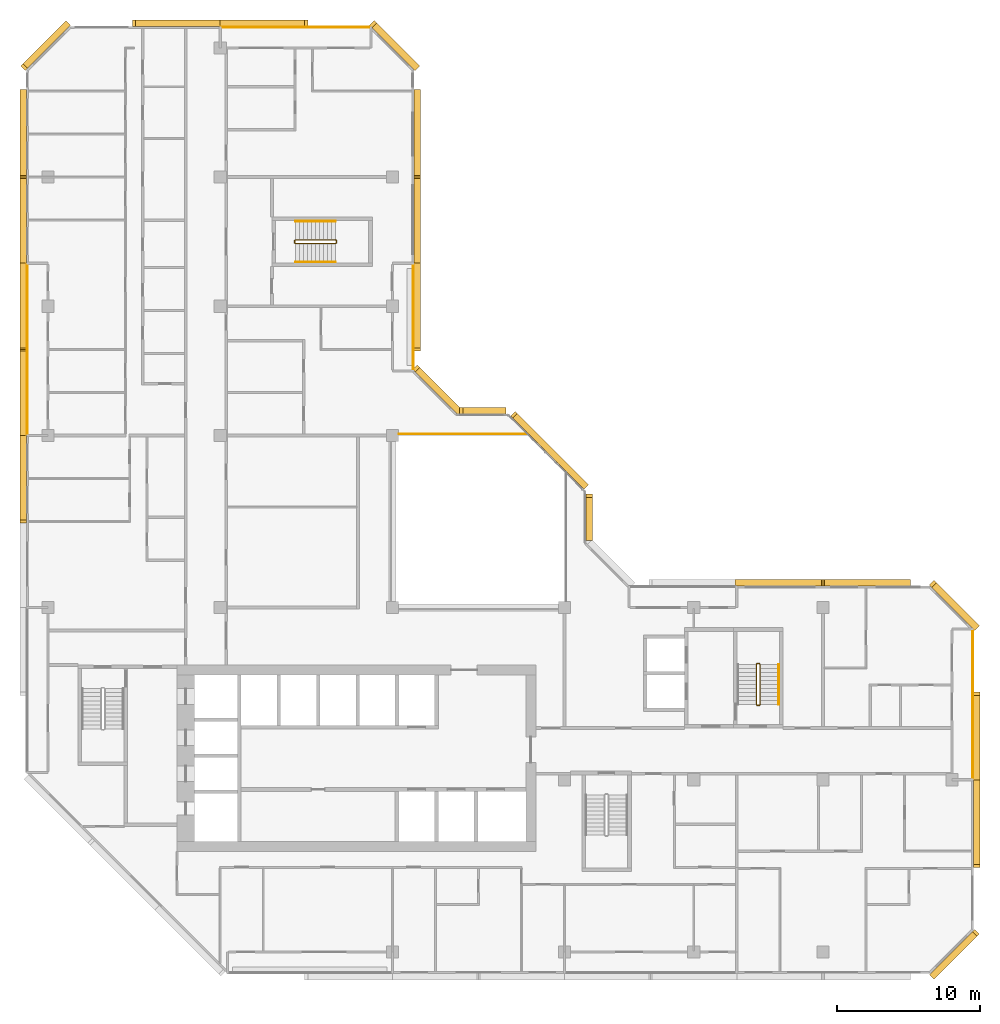
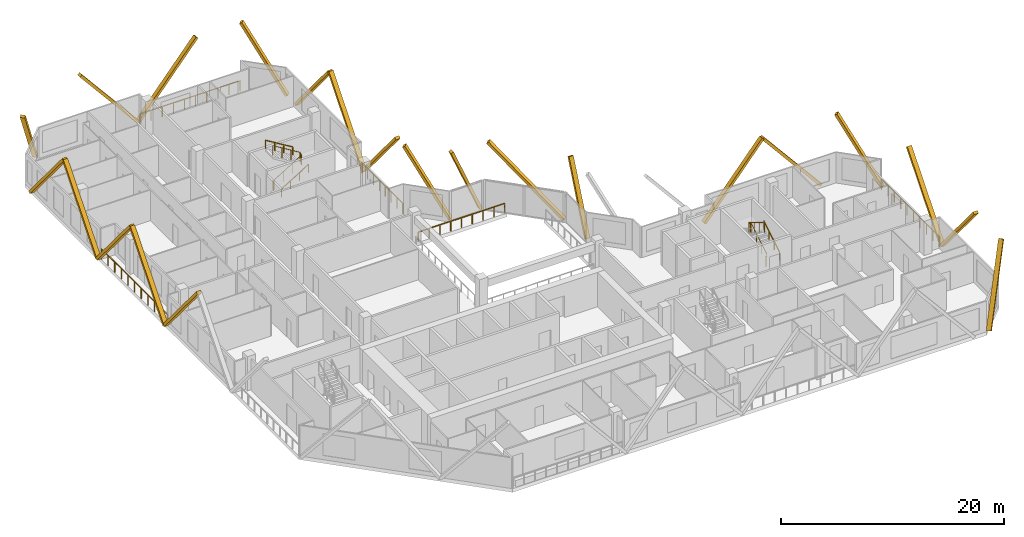
# One storey, part 15 of 15: 22 coverings, 10 railings.
"""IFC4 building model written with IfcOpenShell, lengths in metres."""

from ifc_helpers import new_model, si_unit, direction, frame, origin, origin_2d, place, context, subcontext, project, spatial, rectangle, extrude, material, material_profile, profile_set, type_object, element, save


model = new_model("IFC4")

# Units and contexts
model_context = context("Model", 3, precision=1e-05, world=origin(), true_north=direction((0.0, 1.0)))
body_context = subcontext(model_context, "Body", "Model", "MODEL_VIEW")
ifc_project = project(units=[si_unit("LENGTHUNIT", "METRE"), si_unit("AREAUNIT", "SQUARE_METRE"), si_unit("VOLUMEUNIT", "CUBIC_METRE"), si_unit("PLANEANGLEUNIT", "RADIAN"), si_unit("MASSUNIT", "GRAM", prefix="KILO")], contexts=[model_context])

# Site, building, storey
site_placement = place(None, origin())
site = spatial("IfcSite", under=ifc_project, at=site_placement, CompositionType="ELEMENT")
building_placement = place(site_placement, origin())
building = spatial("IfcBuilding", under=site, at=building_placement, Name="Chenar Terraces", CompositionType="ELEMENT")
storey_placement = place(building_placement, frame((0.0, 0.0, 211.64990234375)))
storey = spatial("IfcBuildingStorey", under=building, at=storey_placement, Name="L49", CompositionType="ELEMENT", Elevation=211.64990234375)

# Railings
ifc_material_1 = material(Name="Powder-coated steel", Category="steel")
railing_type_1 = type_object("IfcRailingType", Name="Guard 1100 steel rail with glass infill", PredefinedType="GUARDRAIL", material=ifc_material_1)
railing_1_placement = place(storey_placement, frame((24.47509765625, 36.10009765625, 0.0)))
element("IfcRailing", 1, at=railing_1_placement, inside=storey, type_object=railing_type_1, Name="Guard L49-2", PredefinedType="GUARDRAIL", context=body_context, shape_type="SweptSolid", body=[
    extrude(rectangle(XDim=0.06005859375, YDim=0.06005859375, at=origin_2d()), frame((0.0, 0.0, 1.070068359375), z_axis=(1.0, 0.0, 0.0), x_axis=(0.0, 1.0, 0.0)), (0.0, 0.0, 1.0), 8.9248046875),
    extrude(rectangle(XDim=0.050048828125, YDim=0.050048828125, at=origin_2d()), origin(), (0.0, 0.0, 1.0), 1.0400390625),
    extrude(rectangle(XDim=0.050048828125, YDim=0.050048828125, at=origin_2d()), frame((1.11572265625, 0.0, 0.0)), (0.0, 0.0, 1.0), 1.0400390625),
    extrude(rectangle(XDim=0.050048828125, YDim=0.050048828125, at=origin_2d()), frame((2.231201171875, 0.0, 0.0)), (0.0, 0.0, 1.0), 1.0400390625),
    extrude(rectangle(XDim=0.050048828125, YDim=0.050048828125, at=origin_2d()), frame((3.3466796875, 0.0, 0.0)), (0.0, 0.0, 1.0), 1.0400390625),
    extrude(rectangle(XDim=0.050048828125, YDim=0.050048828125, at=origin_2d()), frame((4.46240234375, 0.0, 0.0)), (0.0, 0.0, 1.0), 1.0400390625),
    extrude(rectangle(XDim=0.050048828125, YDim=0.050048828125, at=origin_2d()), frame((5.578125, 0.0, 0.0)), (0.0, 0.0, 1.0), 1.0400390625),
    extrude(rectangle(XDim=0.050048828125, YDim=0.050048828125, at=origin_2d()), frame((6.693603515625, 0.0, 0.0)), (0.0, 0.0, 1.0), 1.0400390625),
    extrude(rectangle(XDim=0.050048828125, YDim=0.050048828125, at=origin_2d()), frame((7.80908203125, 0.0, 0.0)), (0.0, 0.0, 1.0), 1.0400390625),
    extrude(rectangle(XDim=0.050048828125, YDim=0.050048828125, at=origin_2d()), frame((8.9248046875, 0.0, 0.0)), (0.0, 0.0, 1.0), 1.0400390625),
])
ifc_material_2 = material(Name="Stainless steel and glass", Category="steel")
railing_type_2 = type_object("IfcRailingType", Name="Loggia guard 1150", PredefinedType="GUARDRAIL", material=ifc_material_2)
railing_2_placement = place(storey_placement, frame((25.449951171875, 40.574951171875, 0.0)))
element("IfcRailing", 2, at=railing_2_placement, inside=storey, type_object=railing_type_2, Name="Loggia guard", PredefinedType="GUARDRAIL", context=body_context, shape_type="SweptSolid", body=[
    extrude(rectangle(XDim=0.048095703125, YDim=0.048095703125, at=origin_2d()), frame((0.0, 0.0, 1.1259765625), z_axis=(0.0, 1.0, 0.0), x_axis=(-1.0, 0.0, 0.0)), (0.0, 0.0, 1.0), 7.35009765625),
    extrude(rectangle(XDim=0.0419921875, YDim=0.0419921875, at=origin_2d()), origin(), (0.0, 0.0, 1.0), 1.101806640625),
    extrude(rectangle(XDim=0.0419921875, YDim=0.0419921875, at=origin_2d()), frame((0.0, 1.050048828125, 0.0)), (0.0, 0.0, 1.0), 1.101806640625),
    extrude(rectangle(XDim=0.0419921875, YDim=0.0419921875, at=origin_2d()), frame((0.0, 2.10009765625, 0.0)), (0.0, 0.0, 1.0), 1.101806640625),
    extrude(rectangle(XDim=0.0419921875, YDim=0.0419921875, at=origin_2d()), frame((0.0, 3.150146484375, 0.0)), (0.0, 0.0, 1.0), 1.101806640625),
    extrude(rectangle(XDim=0.0419921875, YDim=0.0419921875, at=origin_2d()), frame((0.0, 4.199951171875, 0.0)), (0.0, 0.0, 1.0), 1.101806640625),
    extrude(rectangle(XDim=0.0419921875, YDim=0.0419921875, at=origin_2d()), frame((0.0, 5.25, 0.0)), (0.0, 0.0, 1.0), 1.101806640625),
    extrude(rectangle(XDim=0.0419921875, YDim=0.0419921875, at=origin_2d()), frame((0.0, 6.300048828125, 0.0)), (0.0, 0.0, 1.0), 1.101806640625),
    extrude(rectangle(XDim=0.0419921875, YDim=0.0419921875, at=origin_2d()), frame((0.0, 7.35009765625, 0.0)), (0.0, 0.0, 1.0), 1.101806640625),
])
railing_3_placement = place(storey_placement, frame((64.449951171875, 12.074951171875, 0.0)))
element("IfcRailing", 3, at=railing_3_placement, inside=storey, type_object=railing_type_2, Name="Loggia guard", PredefinedType="GUARDRAIL", context=body_context, shape_type="SweptSolid", body=[
    extrude(rectangle(XDim=0.048095703125, YDim=0.048095703125, at=origin_2d()), frame((0.0, 0.0, 1.1259765625), z_axis=(0.0, 1.0, 0.0), x_axis=(-1.0, 0.0, 0.0)), (0.0, 0.0, 1.0), 10.35009765625),
    extrude(rectangle(XDim=0.0419921875, YDim=0.0419921875, at=origin_2d()), origin(), (0.0, 0.0, 1.0), 1.101806640625),
    extrude(rectangle(XDim=0.0419921875, YDim=0.0419921875, at=origin_2d()), frame((0.0, 1.14990234375, 0.0)), (0.0, 0.0, 1.0), 1.101806640625),
    extrude(rectangle(XDim=0.0419921875, YDim=0.0419921875, at=origin_2d()), frame((0.0, 2.300048828125, 0.0)), (0.0, 0.0, 1.0), 1.101806640625),
    extrude(rectangle(XDim=0.0419921875, YDim=0.0419921875, at=origin_2d()), frame((0.0, 3.449951171875, 0.0)), (0.0, 0.0, 1.0), 1.101806640625),
    extrude(rectangle(XDim=0.0419921875, YDim=0.0419921875, at=origin_2d()), frame((0.0, 4.60009765625, 0.0)), (0.0, 0.0, 1.0), 1.101806640625),
    extrude(rectangle(XDim=0.0419921875, YDim=0.0419921875, at=origin_2d()), frame((0.0, 5.75, 0.0)), (0.0, 0.0, 1.0), 1.101806640625),
    extrude(rectangle(XDim=0.0419921875, YDim=0.0419921875, at=origin_2d()), frame((0.0, 6.900146484375, 0.0)), (0.0, 0.0, 1.0), 1.101806640625),
    extrude(rectangle(XDim=0.0419921875, YDim=0.0419921875, at=origin_2d()), frame((0.0, 8.050048828125, 0.0)), (0.0, 0.0, 1.0), 1.101806640625),
    extrude(rectangle(XDim=0.0419921875, YDim=0.0419921875, at=origin_2d()), frame((0.0, 9.2001953125, 0.0)), (0.0, 0.0, 1.0), 1.101806640625),
    extrude(rectangle(XDim=0.0419921875, YDim=0.0419921875, at=origin_2d()), frame((0.0, 10.35009765625, 0.0)), (0.0, 0.0, 1.0), 1.101806640625),
])
railing_4_placement = place(storey_placement, frame((22.425048828125, 64.449951171875, 0.0)))
element("IfcRailing", 4, at=railing_4_placement, inside=storey, type_object=railing_type_2, Name="Loggia guard", PredefinedType="GUARDRAIL", context=body_context, shape_type="SweptSolid", body=[
    extrude(rectangle(XDim=0.048095703125, YDim=0.048095703125, at=origin_2d()), frame((0.0, 0.0, 1.1259765625), z_axis=(-1.0, 0.0, 0.0), x_axis=(0.0, -1.0, 0.0)), (0.0, 0.0, 1.0), 10.35009765625),
    extrude(rectangle(XDim=0.0419921875, YDim=0.0419921875, at=origin_2d()), origin(), (0.0, 0.0, 1.0), 1.101806640625),
    extrude(rectangle(XDim=0.0419921875, YDim=0.0419921875, at=origin_2d()), frame((-1.14990234375, 0.0, 0.0)), (0.0, 0.0, 1.0), 1.101806640625),
    extrude(rectangle(XDim=0.0419921875, YDim=0.0419921875, at=origin_2d()), frame((-2.300048828125, 0.0, 0.0)), (0.0, 0.0, 1.0), 1.101806640625),
    extrude(rectangle(XDim=0.0419921875, YDim=0.0419921875, at=origin_2d()), frame((-3.449951171875, 0.0, 0.0)), (0.0, 0.0, 1.0), 1.101806640625),
    extrude(rectangle(XDim=0.0419921875, YDim=0.0419921875, at=origin_2d()), frame((-4.60009765625, 0.0, 0.0)), (0.0, 0.0, 1.0), 1.101806640625),
    extrude(rectangle(XDim=0.0419921875, YDim=0.0419921875, at=origin_2d()), frame((-5.75, 0.0, 0.0)), (0.0, 0.0, 1.0), 1.101806640625),
    extrude(rectangle(XDim=0.0419921875, YDim=0.0419921875, at=origin_2d()), frame((-6.900146484375, 0.0, 0.0)), (0.0, 0.0, 1.0), 1.101806640625),
    extrude(rectangle(XDim=0.0419921875, YDim=0.0419921875, at=origin_2d()), frame((-8.050048828125, 0.0, 0.0)), (0.0, 0.0, 1.0), 1.101806640625),
    extrude(rectangle(XDim=0.0419921875, YDim=0.0419921875, at=origin_2d()), frame((-9.2001953125, 0.0, 0.0)), (0.0, 0.0, 1.0), 1.101806640625),
    extrude(rectangle(XDim=0.0419921875, YDim=0.0419921875, at=origin_2d()), frame((-10.35009765625, 0.0, 0.0)), (0.0, 0.0, 1.0), 1.101806640625),
])
railing_5_placement = place(storey_placement, frame((-1.449951171875, 47.925048828125, 0.0)))
element("IfcRailing", 5, at=railing_5_placement, inside=storey, type_object=railing_type_2, Name="Loggia guard", PredefinedType="GUARDRAIL", context=body_context, shape_type="SweptSolid", body=[
    extrude(rectangle(XDim=0.048095703125, YDim=0.048095703125, at=origin_2d()), frame((0.0, 0.0, 1.1259765625), z_axis=(0.0, -1.0, 0.0), x_axis=(1.0, 0.0, 0.0)), (0.0, 0.0, 1.0), 11.85009765625),
    extrude(rectangle(XDim=0.0419921875, YDim=0.0419921875, at=origin_2d()), origin(), (0.0, 0.0, 1.0), 1.101806640625),
    extrude(rectangle(XDim=0.0419921875, YDim=0.0419921875, at=origin_2d()), frame((0.0, -1.18505859375, 0.0)), (0.0, 0.0, 1.0), 1.101806640625),
    extrude(rectangle(XDim=0.0419921875, YDim=0.0419921875, at=origin_2d()), frame((0.0, -2.3701171875, 0.0)), (0.0, 0.0, 1.0), 1.101806640625),
    extrude(rectangle(XDim=0.0419921875, YDim=0.0419921875, at=origin_2d()), frame((0.0, -3.554931640625, 0.0)), (0.0, 0.0, 1.0), 1.101806640625),
    extrude(rectangle(XDim=0.0419921875, YDim=0.0419921875, at=origin_2d()), frame((0.0, -4.739990234375, 0.0)), (0.0, 0.0, 1.0), 1.101806640625),
    extrude(rectangle(XDim=0.0419921875, YDim=0.0419921875, at=origin_2d()), frame((0.0, -5.925048828125, 0.0)), (0.0, 0.0, 1.0), 1.101806640625),
    extrude(rectangle(XDim=0.0419921875, YDim=0.0419921875, at=origin_2d()), frame((0.0, -7.110107421875, 0.0)), (0.0, 0.0, 1.0), 1.101806640625),
    extrude(rectangle(XDim=0.0419921875, YDim=0.0419921875, at=origin_2d()), frame((0.0, -8.295166015625, 0.0)), (0.0, 0.0, 1.0), 1.101806640625),
    extrude(rectangle(XDim=0.0419921875, YDim=0.0419921875, at=origin_2d()), frame((0.0, -9.47998046875, 0.0)), (0.0, 0.0, 1.0), 1.101806640625),
    extrude(rectangle(XDim=0.0419921875, YDim=0.0419921875, at=origin_2d()), frame((0.0, -10.6650390625, 0.0)), (0.0, 0.0, 1.0), 1.101806640625),
    extrude(rectangle(XDim=0.0419921875, YDim=0.0419921875, at=origin_2d()), frame((0.0, -11.85009765625, 0.0)), (0.0, 0.0, 1.0), 1.101806640625),
])
ifc_material_3 = material(Name="Powder-coated steel", Category="steel")
railing_type_3 = type_object("IfcRailingType", Name="Stair guard 1100", PredefinedType="GUARDRAIL", material=ifc_material_3)
railing_6_placement = place(storey_placement, frame((49.375, 17.25, 3.75)))
element("IfcRailing", 6, at=railing_6_placement, inside=storey, type_object=railing_type_3, Name="L49 ST3 stair guard 1", PredefinedType="GUARDRAIL", context=body_context, shape_type="SweptSolid", body=[
    extrude(rectangle(XDim=0.048095703125, YDim=0.048095703125, at=origin_2d()), frame((0.0, 0.0, 1.076171875), z_axis=(0.0, 0.854202870247, -0.519939858505), x_axis=(-1.0, 0.0, 0.0)), (0.0, 0.0, 1.0), 3.278076171875),
    extrude(rectangle(XDim=0.048095703125, YDim=0.048095703125, at=origin_2d()), frame((0.0, 2.800048828125, -0.62841796875), z_axis=(0.270899902878, 0.270899902878, -0.923702595667), x_axis=(-0.707106781187, 0.707106781187, 0.0)), (0.0, 0.0, 1.0), 0.184814453125),
    extrude(rectangle(XDim=0.048095703125, YDim=0.048095703125, at=origin_2d()), frame((0.050048828125, 2.85009765625, -0.798828125), z_axis=(1.0, 0.0, 0.0), x_axis=(0.0, 1.0, 0.0)), (0.0, 0.0, 1.0), 0.14990234375),
    extrude(rectangle(XDim=0.048095703125, YDim=0.048095703125, at=origin_2d()), frame((0.199951171875, 2.85009765625, -0.798828125), z_axis=(0.707106781187, -0.707106781187, 0.0), x_axis=(0.707106781187, 0.707106781187, 0.0)), (0.0, 0.0, 1.0), 0.07080078125),
    extrude(rectangle(XDim=0.048095703125, YDim=0.048095703125, at=origin_2d()), frame((0.25, 2.800048828125, -0.798828125), z_axis=(0.0, -0.854202870247, -0.519939858505), x_axis=(1.0, 0.0, 0.0)), (0.0, 0.0, 1.0), 3.278076171875),
    extrude(rectangle(XDim=0.048095703125, YDim=0.048095703125, at=origin_2d()), frame((0.25, 0.0, -2.50341796875), z_axis=(-0.270899902878, -0.270899902878, -0.923702595667), x_axis=(0.707106781187, -0.707106781187, 0.0)), (0.0, 0.0, 1.0), 0.184814453125),
    extrude(rectangle(XDim=0.048095703125, YDim=0.048095703125, at=origin_2d()), frame((0.199951171875, -0.050048828125, -2.673828125), z_axis=(-1.0, 0.0, 0.0), x_axis=(0.0, -1.0, 0.0)), (0.0, 0.0, 1.0), 0.14990234375),
    extrude(rectangle(XDim=0.0419921875, YDim=0.0419921875, at=origin_2d()), origin(), (0.0, 0.0, 1.0), 1.052001953125),
    extrude(rectangle(XDim=0.0419921875, YDim=0.0419921875, at=origin_2d()), frame((0.0, 0.933349609375, -0.568115234375)), (0.0, 0.0, 1.0), 1.052001953125),
    extrude(rectangle(XDim=0.0419921875, YDim=0.0419921875, at=origin_2d()), frame((0.0, 1.86669921875, -1.13623046875)), (0.0, 0.0, 1.0), 1.052001953125),
    extrude(rectangle(XDim=0.0419921875, YDim=0.0419921875, at=origin_2d()), frame((0.0, 2.800048828125, -1.704345703125)), (0.0, 0.0, 1.0), 1.052001953125),
    extrude(rectangle(XDim=0.0419921875, YDim=0.0419921875, at=origin_2d()), frame((0.050048828125, 2.85009765625, -1.875)), (0.0, 0.0, 1.0), 1.052001953125),
    extrude(rectangle(XDim=0.0419921875, YDim=0.0419921875, at=origin_2d()), frame((0.199951171875, 2.85009765625, -1.875)), (0.0, 0.0, 1.0), 1.052001953125),
    extrude(rectangle(XDim=0.0419921875, YDim=0.0419921875, at=origin_2d()), frame((0.25, 2.800048828125, -1.875)), (0.0, 0.0, 1.0), 1.052001953125),
    extrude(rectangle(XDim=0.0419921875, YDim=0.0419921875, at=origin_2d()), frame((0.25, 1.86669921875, -2.443115234375)), (0.0, 0.0, 1.0), 1.052001953125),
    extrude(rectangle(XDim=0.0419921875, YDim=0.0419921875, at=origin_2d()), frame((0.25, 0.933349609375, -3.01123046875)), (0.0, 0.0, 1.0), 1.052001953125),
    extrude(rectangle(XDim=0.0419921875, YDim=0.0419921875, at=origin_2d()), frame((0.25, 0.0, -3.579345703125)), (0.0, 0.0, 1.0), 1.052001953125),
    extrude(rectangle(XDim=0.0419921875, YDim=0.0419921875, at=origin_2d()), frame((0.199951171875, -0.050048828125, -3.75)), (0.0, 0.0, 1.0), 1.052001953125),
    extrude(rectangle(XDim=0.0419921875, YDim=0.0419921875, at=origin_2d()), frame((0.050048828125, -0.050048828125, -3.75)), (0.0, 0.0, 1.0), 1.052001953125),
])
railing_7_placement = place(storey_placement, frame((17.25, 49.625, 3.75)))
element("IfcRailing", 7, at=railing_7_placement, inside=storey, type_object=railing_type_3, Name="L49 ST4 stair guard 1", PredefinedType="GUARDRAIL", context=body_context, shape_type="SweptSolid", body=[
    extrude(rectangle(XDim=0.048095703125, YDim=0.048095703125, at=origin_2d()), frame((0.0, 0.0, 1.076171875), z_axis=(0.854202870247, 0.0, -0.519939858505), x_axis=(0.0, 1.0, 0.0)), (0.0, 0.0, 1.0), 3.278076171875),
    extrude(rectangle(XDim=0.048095703125, YDim=0.048095703125, at=origin_2d()), frame((2.800048828125, 0.0, -0.62841796875), z_axis=(0.270899902878, -0.270899902878, -0.923702595667), x_axis=(0.707106781187, 0.707106781187, 0.0)), (0.0, 0.0, 1.0), 0.184814453125),
    extrude(rectangle(XDim=0.048095703125, YDim=0.048095703125, at=origin_2d()), frame((2.85009765625, -0.050048828125, -0.798828125), z_axis=(0.0, -1.0, 0.0), x_axis=(1.0, 0.0, 0.0)), (0.0, 0.0, 1.0), 0.14990234375),
    extrude(rectangle(XDim=0.048095703125, YDim=0.048095703125, at=origin_2d()), frame((2.85009765625, -0.199951171875, -0.798828125), z_axis=(-0.707106781187, -0.707106781187, 0.0), x_axis=(0.707106781187, -0.707106781187, 0.0)), (0.0, 0.0, 1.0), 0.07080078125),
    extrude(rectangle(XDim=0.048095703125, YDim=0.048095703125, at=origin_2d()), frame((2.800048828125, -0.25, -0.798828125), z_axis=(-0.854202870247, 0.0, -0.519939858505), x_axis=(0.0, -1.0, 0.0)), (0.0, 0.0, 1.0), 3.278076171875),
    extrude(rectangle(XDim=0.048095703125, YDim=0.048095703125, at=origin_2d()), frame((0.0, -0.25, -2.50341796875), z_axis=(-0.270899902878, 0.270899902878, -0.923702595667), x_axis=(-0.707106781187, -0.707106781187, 0.0)), (0.0, 0.0, 1.0), 0.184814453125),
    extrude(rectangle(XDim=0.048095703125, YDim=0.048095703125, at=origin_2d()), frame((-0.050048828125, -0.199951171875, -2.673828125), z_axis=(0.0, 1.0, 0.0), x_axis=(-1.0, 0.0, 0.0)), (0.0, 0.0, 1.0), 0.14990234375),
    extrude(rectangle(XDim=0.0419921875, YDim=0.0419921875, at=origin_2d()), origin(), (0.0, 0.0, 1.0), 1.052001953125),
    extrude(rectangle(XDim=0.0419921875, YDim=0.0419921875, at=origin_2d()), frame((0.933349609375, 0.0, -0.568115234375)), (0.0, 0.0, 1.0), 1.052001953125),
    extrude(rectangle(XDim=0.0419921875, YDim=0.0419921875, at=origin_2d()), frame((1.86669921875, 0.0, -1.13623046875)), (0.0, 0.0, 1.0), 1.052001953125),
    extrude(rectangle(XDim=0.0419921875, YDim=0.0419921875, at=origin_2d()), frame((2.800048828125, 0.0, -1.704345703125)), (0.0, 0.0, 1.0), 1.052001953125),
    extrude(rectangle(XDim=0.0419921875, YDim=0.0419921875, at=origin_2d()), frame((2.85009765625, -0.050048828125, -1.875)), (0.0, 0.0, 1.0), 1.052001953125),
    extrude(rectangle(XDim=0.0419921875, YDim=0.0419921875, at=origin_2d()), frame((2.85009765625, -0.199951171875, -1.875)), (0.0, 0.0, 1.0), 1.052001953125),
    extrude(rectangle(XDim=0.0419921875, YDim=0.0419921875, at=origin_2d()), frame((2.800048828125, -0.25, -1.875)), (0.0, 0.0, 1.0), 1.052001953125),
    extrude(rectangle(XDim=0.0419921875, YDim=0.0419921875, at=origin_2d()), frame((1.86669921875, -0.25, -2.443115234375)), (0.0, 0.0, 1.0), 1.052001953125),
    extrude(rectangle(XDim=0.0419921875, YDim=0.0419921875, at=origin_2d()), frame((0.933349609375, -0.25, -3.01123046875)), (0.0, 0.0, 1.0), 1.052001953125),
    extrude(rectangle(XDim=0.0419921875, YDim=0.0419921875, at=origin_2d()), frame((0.0, -0.25, -3.579345703125)), (0.0, 0.0, 1.0), 1.052001953125),
    extrude(rectangle(XDim=0.0419921875, YDim=0.0419921875, at=origin_2d()), frame((-0.050048828125, -0.199951171875, -3.75)), (0.0, 0.0, 1.0), 1.052001953125),
    extrude(rectangle(XDim=0.0419921875, YDim=0.0419921875, at=origin_2d()), frame((-0.050048828125, -0.050048828125, -3.75)), (0.0, 0.0, 1.0), 1.052001953125),
])
ifc_material_4 = material(Name="Powder-coated steel", Category="steel")
railing_type_4 = type_object("IfcRailingType", Name="Stair handrail 900", PredefinedType="HANDRAIL", material=ifc_material_4)
railing_8_placement = place(storey_placement, frame((50.925048828125, 17.25, 0.170654296875)))
element("IfcRailing", 8, at=railing_8_placement, inside=storey, type_object=railing_type_4, Name="L49 ST3 stair handrail 1", PredefinedType="HANDRAIL", context=body_context, shape_type="SweptSolid", body=[
    extrude(rectangle(XDim=0.048095703125, YDim=0.048095703125, at=origin_2d()), frame((0.0, 0.0, 0.8759765625), z_axis=(0.0, 0.854202870247, 0.519939858505), x_axis=(-1.0, 0.0, 0.0)), (0.0, 0.0, 1.0), 3.278076171875),
    extrude(rectangle(XDim=0.0419921875, YDim=0.0419921875, at=origin_2d()), origin(), (0.0, 0.0, 1.0), 0.851806640625),
    extrude(rectangle(XDim=0.0419921875, YDim=0.0419921875, at=origin_2d()), frame((0.0, 0.933349609375, 0.568115234375)), (0.0, 0.0, 1.0), 0.851806640625),
    extrude(rectangle(XDim=0.0419921875, YDim=0.0419921875, at=origin_2d()), frame((0.0, 1.86669921875, 1.13623046875)), (0.0, 0.0, 1.0), 0.851806640625),
    extrude(rectangle(XDim=0.0419921875, YDim=0.0419921875, at=origin_2d()), frame((0.0, 2.800048828125, 1.704345703125)), (0.0, 0.0, 1.0), 0.851806640625),
])
railing_9_placement = place(storey_placement, frame((17.25, 48.074951171875, 0.170654296875)))
element("IfcRailing", 9, at=railing_9_placement, inside=storey, type_object=railing_type_4, Name="L49 ST4 stair handrail 1", PredefinedType="HANDRAIL", context=body_context, shape_type="SweptSolid", body=[
    extrude(rectangle(XDim=0.048095703125, YDim=0.048095703125, at=origin_2d()), frame((0.0, 0.0, 0.8759765625), z_axis=(0.854202870247, 0.0, 0.519939858505), x_axis=(0.0, 1.0, 0.0)), (0.0, 0.0, 1.0), 3.278076171875),
    extrude(rectangle(XDim=0.0419921875, YDim=0.0419921875, at=origin_2d()), origin(), (0.0, 0.0, 1.0), 0.851806640625),
    extrude(rectangle(XDim=0.0419921875, YDim=0.0419921875, at=origin_2d()), frame((0.933349609375, 0.0, 0.568115234375)), (0.0, 0.0, 1.0), 0.851806640625),
    extrude(rectangle(XDim=0.0419921875, YDim=0.0419921875, at=origin_2d()), frame((1.86669921875, 0.0, 1.13623046875)), (0.0, 0.0, 1.0), 0.851806640625),
    extrude(rectangle(XDim=0.0419921875, YDim=0.0419921875, at=origin_2d()), frame((2.800048828125, 0.0, 1.704345703125)), (0.0, 0.0, 1.0), 0.851806640625),
])
railing_10_placement = place(storey_placement, frame((20.050048828125, 50.925048828125, 2.045654296875)))
element("IfcRailing", 10, at=railing_10_placement, inside=storey, type_object=railing_type_4, Name="L49 ST4 stair handrail 2", PredefinedType="HANDRAIL", context=body_context, shape_type="SweptSolid", body=[
    extrude(rectangle(XDim=0.048095703125, YDim=0.048095703125, at=origin_2d()), frame((0.0, 0.0, 0.8759765625), z_axis=(-0.854202870247, 0.0, 0.519939858505), x_axis=(0.0, -1.0, 0.0)), (0.0, 0.0, 1.0), 3.278076171875),
    extrude(rectangle(XDim=0.0419921875, YDim=0.0419921875, at=origin_2d()), origin(), (0.0, 0.0, 1.0), 0.851806640625),
    extrude(rectangle(XDim=0.0419921875, YDim=0.0419921875, at=origin_2d()), frame((-0.933349609375, 0.0, 0.568115234375)), (0.0, 0.0, 1.0), 0.851806640625),
    extrude(rectangle(XDim=0.0419921875, YDim=0.0419921875, at=origin_2d()), frame((-1.86669921875, 0.0, 1.13623046875)), (0.0, 0.0, 1.0), 0.851806640625),
    extrude(rectangle(XDim=0.0419921875, YDim=0.0419921875, at=origin_2d()), frame((-2.800048828125, 0.0, 1.704345703125)), (0.0, 0.0, 1.0), 0.851806640625),
])

# Coverings
ifc_material_5 = material(Name="Terracotta", Category="masonry")
ifc_material_profile = material_profile(ifc_material_5, rectangle(XDim=0.449951171875, YDim=0.280029296875, at=origin_2d()), Name="Terracotta baguette 450 x 280")
ifc_profile_set = profile_set([ifc_material_profile], Name="Terracotta")
covering_type = type_object("IfcCoveringType", Name="Terracotta baguette 450 x 280", PredefinedType="CLADDING", material=ifc_profile_set)
for number, where, z_axis, x_axis, name in (
    (11, (60.0, 25.72509765625, 0.150146484375), (-0.640186961885, 0.0, 0.768219144407), (0.0, -1.0, 0.0), "Terracotta baguette"),
    (12, (54.0, 25.72509765625, 7.35009765625), (-0.640186961885, 0.0, -0.768219144407), (0.0, -1.0, 0.0), "Terracotta baguette"),
):
    element("IfcCovering", number, at=place(storey_placement, frame(where, z_axis=z_axis, x_axis=x_axis)), inside=storey, type_object=covering_type, Name=name, PredefinedType="CLADDING", context=body_context, shape_type="SweptSolid", body=[
        extrude(rectangle(XDim=0.449951171875, YDim=0.280029296875, at=origin_2d()), origin(), (0.0, 0.0, 1.0), 9.372314453125),
    ])
covering_1_placement = place(storey_placement, frame((37.72509765625, 28.800048828125, 0.150146484375), z_axis=(0.0, 0.384617607118, 0.923075997031), x_axis=(-1.0, 0.0, 0.0)))
element("IfcCovering", 13, at=covering_1_placement, inside=storey, type_object=covering_type, Name="Terracotta baguette", PredefinedType="CLADDING", context=body_context, shape_type="SweptSolid", body=[
    extrude(rectangle(XDim=0.449951171875, YDim=0.280029296875, at=origin_2d()), origin(), (0.0, 0.0, 1.0), 7.800048828125),
])
covering_2_placement = place(storey_placement, frame((37.447021484375, 32.47119140625, 0.150146484375), z_axis=(-0.494240720479, 0.494240720479, 0.715158877761), x_axis=(-0.707106781187, -0.707106781187, 0.0)))
element("IfcCovering", 14, at=covering_2_placement, inside=storey, type_object=covering_type, Name="Terracotta baguette", PredefinedType="CLADDING", context=body_context, shape_type="SweptSolid", body=[
    extrude(rectangle(XDim=0.449951171875, YDim=0.280029296875, at=origin_2d()), origin(), (0.0, 0.0, 1.0), 10.067626953125),
])
covering_3_placement = place(storey_placement, frame((31.800048828125, 37.72509765625, 0.150146484375), z_axis=(-0.384617607118, 0.0, 0.923075997031), x_axis=(0.0, -1.0, 0.0)))
element("IfcCovering", 15, at=covering_3_placement, inside=storey, type_object=covering_type, Name="Terracotta baguette", PredefinedType="CLADDING", context=body_context, shape_type="SweptSolid", body=[
    extrude(rectangle(XDim=0.449951171875, YDim=0.280029296875, at=origin_2d()), origin(), (0.0, 0.0, 1.0), 7.800048828125),
])
covering_4_placement = place(storey_placement, frame((28.6591796875, 37.6591796875, 0.150146484375), z_axis=(-0.358980886355, 0.358980886355, 0.861548284464), x_axis=(-0.707106781187, -0.707106781187, 0.0)))
element("IfcCovering", 16, at=covering_4_placement, inside=storey, type_object=covering_type, Name="Terracotta baguette", PredefinedType="CLADDING", context=body_context, shape_type="SweptSolid", body=[
    extrude(rectangle(XDim=0.449951171875, YDim=0.280029296875, at=origin_2d()), origin(), (0.0, 0.0, 1.0), 8.35693359375),
])
for number, where, z_axis, x_axis, name in (
    (17, (25.72509765625, 42.0, 7.35009765625), (0.0, 0.640186961885, -0.768219144407), (-1.0, 0.0, 0.0), "Terracotta baguette"),
    (18, (25.72509765625, 48.0, 0.150146484375), (0.0, 0.640186961885, 0.768219144407), (-1.0, 0.0, 0.0), "Terracotta baguette"),
    (19, (25.72509765625, 54.0, 7.35009765625), (0.0, 0.640186961885, -0.768219144407), (-1.0, 0.0, 0.0), "Terracotta baguette"),
):
    element("IfcCovering", number, at=place(storey_placement, frame(where, z_axis=z_axis, x_axis=x_axis)), inside=storey, type_object=covering_type, Name=name, PredefinedType="CLADDING", context=body_context, shape_type="SweptSolid", body=[
        extrude(rectangle(XDim=0.449951171875, YDim=0.280029296875, at=origin_2d()), origin(), (0.0, 0.0, 1.0), 9.372314453125),
    ])
covering_5_placement = place(storey_placement, frame((25.6591796875, 61.6591796875, 0.150146484375), z_axis=(-0.358980886355, 0.358980886355, 0.861548284464), x_axis=(-0.707106781187, -0.707106781187, 0.0)))
element("IfcCovering", 20, at=covering_5_placement, inside=storey, type_object=covering_type, Name="Terracotta baguette", PredefinedType="CLADDING", context=body_context, shape_type="SweptSolid", body=[
    extrude(rectangle(XDim=0.449951171875, YDim=0.280029296875, at=origin_2d()), origin(), (0.0, 0.0, 1.0), 8.35693359375),
])
for number, where, z_axis, x_axis, name in (
    (21, (18.0, 64.72509765625, 7.35009765625), (-0.640186961885, 0.0, -0.768219144407), (0.0, -1.0, 0.0), "Terracotta baguette"),
    (22, (12.0, 64.72509765625, 0.150146484375), (-0.640186961885, 0.0, 0.768219144407), (0.0, -1.0, 0.0), "Terracotta baguette"),
):
    element("IfcCovering", number, at=place(storey_placement, frame(where, z_axis=z_axis, x_axis=x_axis)), inside=storey, type_object=covering_type, Name=name, PredefinedType="CLADDING", context=body_context, shape_type="SweptSolid", body=[
        extrude(rectangle(XDim=0.449951171875, YDim=0.280029296875, at=origin_2d()), origin(), (0.0, 0.0, 1.0), 9.372314453125),
    ])
covering_6_placement = place(storey_placement, frame((1.3408203125, 64.6591796875, 0.150146484375), z_axis=(-0.358980886355, -0.358980886355, 0.861548284464), x_axis=(0.707106781187, -0.707106781187, 0.0)))
element("IfcCovering", 23, at=covering_6_placement, inside=storey, type_object=covering_type, Name="Terracotta baguette", PredefinedType="CLADDING", context=body_context, shape_type="SweptSolid", body=[
    extrude(rectangle(XDim=0.449951171875, YDim=0.280029296875, at=origin_2d()), origin(), (0.0, 0.0, 1.0), 8.35693359375),
])
for number, where, z_axis, x_axis, name in (
    (24, (-1.72509765625, 60.0, 0.150146484375), (0.0, -0.640186961885, 0.768219144407), (1.0, 0.0, 0.0), "Terracotta baguette"),
    (25, (-1.72509765625, 54.0, 7.35009765625), (0.0, -0.640186961885, -0.768219144407), (1.0, 0.0, 0.0), "Terracotta baguette"),
    (26, (-1.72509765625, 48.0, 0.150146484375), (0.0, -0.640186961885, 0.768219144407), (1.0, 0.0, 0.0), "Terracotta baguette"),
    (27, (-1.72509765625, 42.0, 7.35009765625), (0.0, -0.640186961885, -0.768219144407), (1.0, 0.0, 0.0), "Terracotta baguette"),
    (28, (-1.72509765625, 36.0, 0.150146484375), (0.0, -0.640186961885, 0.768219144407), (1.0, 0.0, 0.0), "Terracotta baguette"),
):
    element("IfcCovering", number, at=place(storey_placement, frame(where, z_axis=z_axis, x_axis=x_axis)), inside=storey, type_object=covering_type, Name=name, PredefinedType="CLADDING", context=body_context, shape_type="SweptSolid", body=[
        extrude(rectangle(XDim=0.449951171875, YDim=0.280029296875, at=origin_2d()), origin(), (0.0, 0.0, 1.0), 9.372314453125),
    ])
covering_7_placement = place(storey_placement, frame((61.6591796875, -1.6591796875, 0.150146484375), z_axis=(0.358980886355, 0.358980886355, 0.861548284464), x_axis=(-0.707106781187, 0.707106781187, 0.0)))
element("IfcCovering", 29, at=covering_7_placement, inside=storey, type_object=covering_type, Name="Terracotta baguette", PredefinedType="CLADDING", context=body_context, shape_type="SweptSolid", body=[
    extrude(rectangle(XDim=0.449951171875, YDim=0.280029296875, at=origin_2d()), origin(), (0.0, 0.0, 1.0), 8.35693359375),
])
for number, where, z_axis, x_axis, name in (
    (30, (64.72509765625, 6.0, 7.35009765625), (0.0, 0.640186961885, -0.768219144407), (-1.0, 0.0, 0.0), "Terracotta baguette"),
    (31, (64.72509765625, 12.0, 0.150146484375), (0.0, 0.640186961885, 0.768219144407), (-1.0, 0.0, 0.0), "Terracotta baguette"),
):
    element("IfcCovering", number, at=place(storey_placement, frame(where, z_axis=z_axis, x_axis=x_axis)), inside=storey, type_object=covering_type, Name=name, PredefinedType="CLADDING", context=body_context, shape_type="SweptSolid", body=[
        extrude(rectangle(XDim=0.449951171875, YDim=0.280029296875, at=origin_2d()), origin(), (0.0, 0.0, 1.0), 9.372314453125),
    ])
covering_8_placement = place(storey_placement, frame((64.6591796875, 22.6591796875, 0.150146484375), z_axis=(-0.358980886355, 0.358980886355, 0.861548284464), x_axis=(-0.707106781187, -0.707106781187, 0.0)))
element("IfcCovering", 32, at=covering_8_placement, inside=storey, type_object=covering_type, Name="Terracotta baguette", PredefinedType="CLADDING", context=body_context, shape_type="SweptSolid", body=[
    extrude(rectangle(XDim=0.449951171875, YDim=0.280029296875, at=origin_2d()), origin(), (0.0, 0.0, 1.0), 8.35693359375),
])

save(model, "model.ifc")
